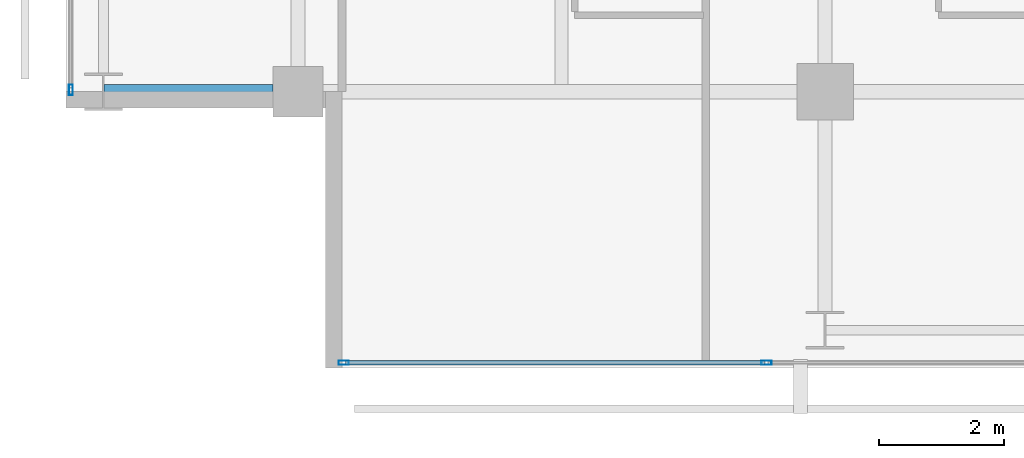
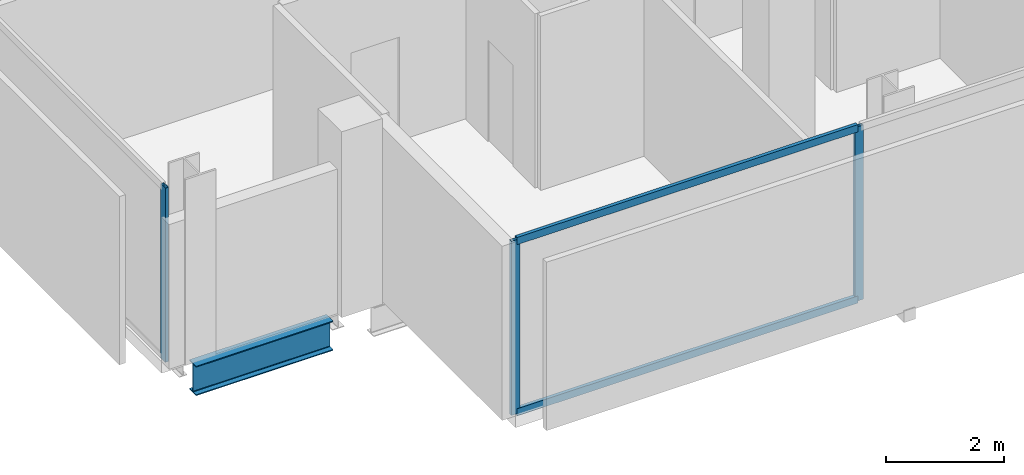
# One storey, part 2 of 34: 5 members, 1 beam, 2 elements without a shape of their own.
"""IFC4 building model written with IfcOpenShell, lengths in metres."""

from ifc_helpers import new_model, si_unit, direction, frame, origin, origin_2d, place, context, subcontext, project, spatial, hollow_rectangle, i_section, extrude, material, layer, layer_set, material_profile, profile_set, type_object, element, aggregate, save


model = new_model("IFC4")

# Units and contexts
model_context = context("Model", 3, precision=1e-05, world=origin(), true_north=direction((0.0, 1.0)))
body_context = subcontext(model_context, "Body", "Model", "MODEL_VIEW")
ifc_project = project(units=[si_unit("LENGTHUNIT", "METRE"), si_unit("AREAUNIT", "SQUARE_METRE"), si_unit("VOLUMEUNIT", "CUBIC_METRE"), si_unit("PLANEANGLEUNIT", "RADIAN"), si_unit("MASSUNIT", "GRAM", prefix="KILO")], contexts=[model_context])

# Site, building, storey
site_placement = place(None, origin())
site = spatial("IfcSite", under=ifc_project, at=site_placement, CompositionType="ELEMENT")
building_placement = place(site_placement, origin())
building = spatial("IfcBuilding", under=site, at=building_placement, Name="Maruvema Waterfront Hotel and Observation Tower", CompositionType="ELEMENT")
storey_placement = place(building_placement, frame((0.0, 0.0, 127.39990234375)))
storey = spatial("IfcBuildingStorey", under=building, at=storey_placement, Name="L30", CompositionType="ELEMENT", Elevation=127.39990234375)

# Curtain wall, members
ifc_material_1 = material(Name="Anodised bronze aluminium and solar-control low-E IGU", Category="aluminium")
ifc_layer = layer(ifc_material_1, 0.159912109375, Name="Zone 2 Amber Inner Thermal Curtain Wall System CW-03")
ifc_layer_set = layer_set([ifc_layer], Name="Anodised bronze aluminium and solar-control low-E IGU")
curtain_wall_type = type_object("IfcCurtainWallType", Name="Zone 2 Amber Inner Thermal Curtain Wall System CW-03", PredefinedType="USERDEFINED", material=ifc_layer_set)
curtain_wall_1_placement = place(storey_placement, origin())
curtain_wall_1 = element("IfcCurtainWall", 1, at=curtain_wall_1_placement, inside=storey, type_object=curtain_wall_type, Name="L30 Curtain Wall CW-L30-S", ObjectType="UNITISED CURTAIN WALL", PredefinedType="USERDEFINED")
ifc_material_2 = material(Name="Anodised architectural bronze aluminium", Category="aluminium")
ifc_material_profile_1 = material_profile(ifc_material_2, hollow_rectangle(XDim=0.070068359375, YDim=0.14990234375, WallThickness=0.00390625, at=origin_2d()), Name="ALU-T70x150")
ifc_profile_set_1 = profile_set([ifc_material_profile_1], Name="Anodised architectural bronze aluminium")
member_type_1 = type_object("IfcMemberType", Name="Curtain Wall Horizontal Transom ALU-T70x150", PredefinedType="USERDEFINED", material=ifc_profile_set_1)
member_1_placement = place(storey_placement, frame((17.56005859375, 4.679931640625, 0.030029296875), z_axis=(1.0, 0.0, 0.0), x_axis=(0.0, 1.0, 0.0)))
member_1 = element("IfcMember", 2, at=member_1_placement, type_object=member_type_1, Name="CW-03 transom 1.1", ObjectType="TRANSOM", PredefinedType="USERDEFINED", context=body_context, shape_type="SweptSolid", body=[
    extrude(hollow_rectangle(XDim=0.070068359375, YDim=0.14990234375, WallThickness=0.00390625, at=origin_2d()), origin(), (0.0, 0.0, 1.0), 6.676513671875),
])
member_2_placement = place(storey_placement, frame((17.56005859375, 4.679931640625, 3.580078125), z_axis=(1.0, 0.0, 0.0), x_axis=(0.0, 1.0, 0.0)))
member_2 = element("IfcMember", 3, at=member_2_placement, type_object=member_type_1, Name="CW-03 transom 1.2", ObjectType="TRANSOM", PredefinedType="USERDEFINED", context=body_context, shape_type="SweptSolid", body=[
    extrude(hollow_rectangle(XDim=0.070068359375, YDim=0.14990234375, WallThickness=0.00390625, at=origin_2d()), origin(), (0.0, 0.0, 1.0), 6.676513671875),
])
ifc_material_3 = material(Name="Anodised architectural bronze aluminium", Category="aluminium")
ifc_material_profile_2 = material_profile(ifc_material_3, hollow_rectangle(XDim=0.06494140625, YDim=0.1650390625, WallThickness=0.00390625, at=origin_2d()), Name="ALU-M65x165")
ifc_profile_set_2 = profile_set([ifc_material_profile_2], Name="Anodised architectural bronze aluminium")
member_type_2 = type_object("IfcMemberType", Name="Curtain Wall Primary Mullion ALU-M65x165", PredefinedType="MULLION", material=ifc_profile_set_2)
member_3_placement = place(storey_placement, frame((17.530029296875, 4.679931640625, 0.0), z_axis=(0.0, 0.0, 1.0), x_axis=(0.0, 1.0, 0.0)))
member_3 = element("IfcMember", 4, at=member_3_placement, type_object=member_type_2, Name="CW-03 mullion 1", PredefinedType="MULLION", context=body_context, shape_type="SweptSolid", body=[
    extrude(hollow_rectangle(XDim=0.06494140625, YDim=0.1650390625, WallThickness=0.00390625, at=origin_2d()), origin(), (0.0, 0.0, 1.0), 3.610107421875),
])
member_4_placement = place(storey_placement, frame((24.2666015625, 4.679931640625, 0.0), z_axis=(0.0, 0.0, 1.0), x_axis=(0.0, 1.0, 0.0)))
member_4 = element("IfcMember", 5, at=member_4_placement, type_object=member_type_2, Name="CW-03 mullion 2", PredefinedType="MULLION", context=body_context, shape_type="SweptSolid", body=[
    extrude(hollow_rectangle(XDim=0.06494140625, YDim=0.1650390625, WallThickness=0.00390625, at=origin_2d()), origin(), (0.0, 0.0, 1.0), 3.610107421875),
])
aggregate(curtain_wall_1, [member_3, member_4, member_1, member_2])

# Curtain wall, member
curtain_wall_2_placement = place(storey_placement, origin())
curtain_wall_2 = element("IfcCurtainWall", 6, at=curtain_wall_2_placement, inside=storey, type_object=curtain_wall_type, Name="L30 Curtain Wall CW-L30-W", ObjectType="UNITISED CURTAIN WALL", PredefinedType="USERDEFINED")
member_5_placement = place(storey_placement, frame((13.179931640625, 9.030029296875, 0.0), z_axis=(0.0, 0.0, 1.0), x_axis=(1.0, 0.0, 0.0)))
member_5 = element("IfcMember", 7, at=member_5_placement, type_object=member_type_2, Name="CW-03 mullion 7", PredefinedType="MULLION", context=body_context, shape_type="SweptSolid", body=[
    extrude(hollow_rectangle(XDim=0.06494140625, YDim=0.1650390625, WallThickness=0.00390625, at=origin_2d()), origin(), (0.0, 0.0, 1.0), 3.610107421875),
])
aggregate(curtain_wall_2, [member_5])

# Beam
ifc_material_4 = material(Name="Steel ASTM A572 Grade 50", Category="steel")
ifc_material_profile_3 = material_profile(ifc_material_4, i_section(OverallWidth=0.22900390625, OverallDepth=0.612060546875, WebThickness=0.011962890625, FlangeThickness=0.01953125, FilletRadius=0.01806640625, at=origin_2d()), Name="W610x125.0")
ifc_profile_set_3 = profile_set([ifc_material_profile_3], Name="Steel ASTM A572 Grade 50")
beam_type = type_object("IfcBeamType", Name="Primary Floor Girder W610x125.0", PredefinedType="BEAM", material=ifc_profile_set_3)
beam_placement = place(storey_placement, frame((13.71240234375, 9.0, -0.5458984375), z_axis=(1.0, 0.0, 0.0), x_axis=(0.0, 1.0, 0.0)))
element("IfcBeam", 8, at=beam_placement, inside=storey, type_object=beam_type, Name="L30 Floor Girder EW-04", PredefinedType="BEAM", context=body_context, shape_type="SweptSolid", body=[
    extrude(i_section(OverallWidth=0.22900390625, OverallDepth=0.612060546875, WebThickness=0.011962890625, FlangeThickness=0.01953125, FilletRadius=0.01806640625, at=origin_2d()), origin(), (0.0, 0.0, 1.0), 2.6875),
])

save(model, "model.ifc")
